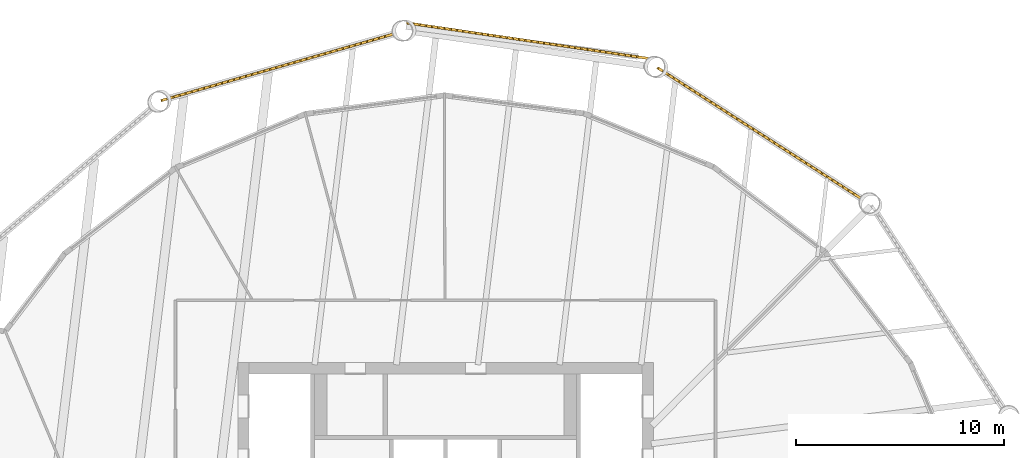
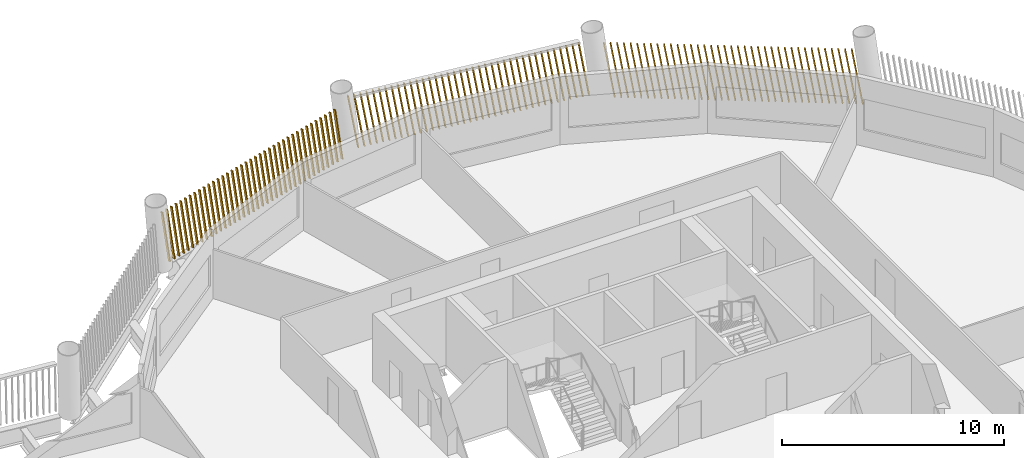
# One storey, part 13 of 14: 3 shading devices.
"""IFC4 building model written with IfcOpenShell, lengths in metres."""

from ifc_helpers import new_model, si_unit, direction, frame, frame_2d, origin, place, context, subcontext, project, spatial, rectangle, composite_profile, extrude, material, type_object, element, save


model = new_model("IFC4")

# Units and contexts
model_context = context("Model", 3, precision=1e-05, world=origin(), true_north=direction((0.0, 1.0)))
body_context = subcontext(model_context, "Body", "Model", "MODEL_VIEW")
ifc_project = project(units=[si_unit("LENGTHUNIT", "METRE"), si_unit("AREAUNIT", "SQUARE_METRE"), si_unit("VOLUMEUNIT", "CUBIC_METRE"), si_unit("PLANEANGLEUNIT", "RADIAN"), si_unit("MASSUNIT", "GRAM", prefix="KILO")], contexts=[model_context])

# Site, building, storey
site_placement = place(None, origin())
site = spatial("IfcSite", under=ifc_project, at=site_placement, CompositionType="ELEMENT")
building_placement = place(site_placement, origin())
building = spatial("IfcBuilding", under=site, at=building_placement, Name="Tarsis Ring Headquarters", CompositionType="ELEMENT")
storey_placement = place(building_placement, frame((0.0, 0.0, 259.10009765625)))
storey = spatial("IfcBuildingStorey", under=building, at=storey_placement, Name="L60", CompositionType="ELEMENT", Elevation=259.10009765625)

# Shading devices
ifc_material = material(Name="Terracotta baguette", Category="masonry")
shading_device_type = type_object("IfcShadingDeviceType", Name="Terracotta baguette screen", PredefinedType="USERDEFINED", material=ifc_material)
shading_device_1_placement = place(storey_placement, frame((20.07666015625, 20.853515625, 0.0), z_axis=(0.0, 0.0, 1.0), x_axis=(-0.841432447097, 0.540379815518, 0.0)))
element("IfcShadingDevice", 1, at=shading_device_1_placement, inside=storey, type_object=shading_device_type, Name="Baguette screen L60-11", ObjectType="Terracotta baguette screen", PredefinedType="USERDEFINED", context=body_context, shape_type="SweptSolid", body=[
    extrude(composite_profile([rectangle(XDim=0.06005859375, YDim=0.1201171875, at=frame_2d((0.030029296875, 0.0))), rectangle(XDim=0.06005859375, YDim=0.1201171875, at=frame_2d((0.33251953125, 0.0))), rectangle(XDim=0.06005859375, YDim=0.1201171875, at=frame_2d((0.634765625, 0.0))), rectangle(XDim=0.06005859375, YDim=0.1201171875, at=frame_2d((0.937255859375, 0.0))), rectangle(XDim=0.06005859375, YDim=0.1201171875, at=frame_2d((1.239501953125, 0.0))), rectangle(XDim=0.06005859375, YDim=0.1201171875, at=frame_2d((1.5419921875, 0.0))), rectangle(XDim=0.06005859375, YDim=0.1201171875, at=frame_2d((1.844482421875, 0.0))), rectangle(XDim=0.06005859375, YDim=0.1201171875, at=frame_2d((2.146728515625, 0.0))), rectangle(XDim=0.06005859375, YDim=0.1201171875, at=frame_2d((2.44921875, 0.0))), rectangle(XDim=0.06005859375, YDim=0.1201171875, at=frame_2d((2.751708984375, 0.0))), rectangle(XDim=0.06005859375, YDim=0.1201171875, at=frame_2d((3.053955078125, 0.0))), rectangle(XDim=0.06005859375, YDim=0.1201171875, at=frame_2d((3.3564453125, 0.0))), rectangle(XDim=0.06005859375, YDim=0.1201171875, at=frame_2d((3.65869140625, 0.0))), rectangle(XDim=0.06005859375, YDim=0.1201171875, at=frame_2d((3.961181640625, 0.0))), rectangle(XDim=0.06005859375, YDim=0.1201171875, at=frame_2d((4.263671875, 0.0))), rectangle(XDim=0.06005859375, YDim=0.1201171875, at=frame_2d((4.56591796875, 0.0))), rectangle(XDim=0.06005859375, YDim=0.1201171875, at=frame_2d((4.868408203125, 0.0))), rectangle(XDim=0.06005859375, YDim=0.1201171875, at=frame_2d((5.1708984375, 0.0))), rectangle(XDim=0.06005859375, YDim=0.1201171875, at=frame_2d((5.47314453125, 0.0))), rectangle(XDim=0.06005859375, YDim=0.1201171875, at=frame_2d((5.775634765625, 0.0))), rectangle(XDim=0.06005859375, YDim=0.1201171875, at=frame_2d((6.077880859375, 0.0))), rectangle(XDim=0.06005859375, YDim=0.1201171875, at=frame_2d((6.38037109375, 0.0))), rectangle(XDim=0.06005859375, YDim=0.1201171875, at=frame_2d((6.682861328125, 0.0))), rectangle(XDim=0.06005859375, YDim=0.1201171875, at=frame_2d((6.985107421875, 0.0))), rectangle(XDim=0.06005859375, YDim=0.1201171875, at=frame_2d((7.28759765625, 0.0))), rectangle(XDim=0.06005859375, YDim=0.1201171875, at=frame_2d((7.590087890625, 0.0))), rectangle(XDim=0.06005859375, YDim=0.1201171875, at=frame_2d((7.892333984375, 0.0))), rectangle(XDim=0.06005859375, YDim=0.1201171875, at=frame_2d((8.19482421875, 0.0))), rectangle(XDim=0.06005859375, YDim=0.1201171875, at=frame_2d((8.4970703125, 0.0))), rectangle(XDim=0.06005859375, YDim=0.1201171875, at=frame_2d((8.799560546875, 0.0))), rectangle(XDim=0.06005859375, YDim=0.1201171875, at=frame_2d((9.10205078125, 0.0))), rectangle(XDim=0.06005859375, YDim=0.1201171875, at=frame_2d((9.404296875, 0.0))), rectangle(XDim=0.06005859375, YDim=0.1201171875, at=frame_2d((9.706787109375, 0.0))), rectangle(XDim=0.06005859375, YDim=0.1201171875, at=frame_2d((10.00927734375, 0.0))), rectangle(XDim=0.06005859375, YDim=0.1201171875, at=frame_2d((10.3115234375, 0.0))), rectangle(XDim=0.06005859375, YDim=0.1201171875, at=frame_2d((10.614013671875, 0.0))), rectangle(XDim=0.06005859375, YDim=0.1201171875, at=frame_2d((10.916259765625, 0.0))), rectangle(XDim=0.06005859375, YDim=0.1201171875, at=frame_2d((11.21875, 0.0)))]), origin(), (0.164705091975, 0.001438647599, 0.986341808386), 3.0087890625),
])
shading_device_2_placement = place(storey_placement, frame((9.750732421875, 27.64599609375, 0.0), z_axis=(0.0, 0.0, 1.0), x_axis=(-0.989365165491, 0.145501899078, 0.0)))
element("IfcShadingDevice", 2, at=shading_device_2_placement, inside=storey, type_object=shading_device_type, Name="Baguette screen L60-12", ObjectType="Terracotta baguette screen", PredefinedType="USERDEFINED", context=body_context, shape_type="SweptSolid", body=[
    extrude(composite_profile([rectangle(XDim=0.06005859375, YDim=0.1201171875, at=frame_2d((0.030029296875, 0.0))), rectangle(XDim=0.06005859375, YDim=0.1201171875, at=frame_2d((0.33251953125, 0.0))), rectangle(XDim=0.06005859375, YDim=0.1201171875, at=frame_2d((0.634765625, 0.0))), rectangle(XDim=0.06005859375, YDim=0.1201171875, at=frame_2d((0.937255859375, 0.0))), rectangle(XDim=0.06005859375, YDim=0.1201171875, at=frame_2d((1.239501953125, 0.0))), rectangle(XDim=0.06005859375, YDim=0.1201171875, at=frame_2d((1.5419921875, 0.0))), rectangle(XDim=0.06005859375, YDim=0.1201171875, at=frame_2d((1.844482421875, 0.0))), rectangle(XDim=0.06005859375, YDim=0.1201171875, at=frame_2d((2.146728515625, 0.0))), rectangle(XDim=0.06005859375, YDim=0.1201171875, at=frame_2d((2.44921875, 0.0))), rectangle(XDim=0.06005859375, YDim=0.1201171875, at=frame_2d((2.751708984375, 0.0))), rectangle(XDim=0.06005859375, YDim=0.1201171875, at=frame_2d((3.053955078125, 0.0))), rectangle(XDim=0.06005859375, YDim=0.1201171875, at=frame_2d((3.3564453125, 0.0))), rectangle(XDim=0.06005859375, YDim=0.1201171875, at=frame_2d((3.65869140625, 0.0))), rectangle(XDim=0.06005859375, YDim=0.1201171875, at=frame_2d((3.961181640625, 0.0))), rectangle(XDim=0.06005859375, YDim=0.1201171875, at=frame_2d((4.263671875, 0.0))), rectangle(XDim=0.06005859375, YDim=0.1201171875, at=frame_2d((4.56591796875, 0.0))), rectangle(XDim=0.06005859375, YDim=0.1201171875, at=frame_2d((4.868408203125, 0.0))), rectangle(XDim=0.06005859375, YDim=0.1201171875, at=frame_2d((5.1708984375, 0.0))), rectangle(XDim=0.06005859375, YDim=0.1201171875, at=frame_2d((5.47314453125, 0.0))), rectangle(XDim=0.06005859375, YDim=0.1201171875, at=frame_2d((5.775634765625, 0.0))), rectangle(XDim=0.06005859375, YDim=0.1201171875, at=frame_2d((6.077880859375, 0.0))), rectangle(XDim=0.06005859375, YDim=0.1201171875, at=frame_2d((6.38037109375, 0.0))), rectangle(XDim=0.06005859375, YDim=0.1201171875, at=frame_2d((6.682861328125, 0.0))), rectangle(XDim=0.06005859375, YDim=0.1201171875, at=frame_2d((6.985107421875, 0.0))), rectangle(XDim=0.06005859375, YDim=0.1201171875, at=frame_2d((7.28759765625, 0.0))), rectangle(XDim=0.06005859375, YDim=0.1201171875, at=frame_2d((7.590087890625, 0.0))), rectangle(XDim=0.06005859375, YDim=0.1201171875, at=frame_2d((7.892333984375, 0.0))), rectangle(XDim=0.06005859375, YDim=0.1201171875, at=frame_2d((8.19482421875, 0.0))), rectangle(XDim=0.06005859375, YDim=0.1201171875, at=frame_2d((8.4970703125, 0.0))), rectangle(XDim=0.06005859375, YDim=0.1201171875, at=frame_2d((8.799560546875, 0.0))), rectangle(XDim=0.06005859375, YDim=0.1201171875, at=frame_2d((9.10205078125, 0.0))), rectangle(XDim=0.06005859375, YDim=0.1201171875, at=frame_2d((9.404296875, 0.0))), rectangle(XDim=0.06005859375, YDim=0.1201171875, at=frame_2d((9.706787109375, 0.0))), rectangle(XDim=0.06005859375, YDim=0.1201171875, at=frame_2d((10.00927734375, 0.0))), rectangle(XDim=0.06005859375, YDim=0.1201171875, at=frame_2d((10.3115234375, 0.0))), rectangle(XDim=0.06005859375, YDim=0.1201171875, at=frame_2d((10.614013671875, 0.0))), rectangle(XDim=0.06005859375, YDim=0.1201171875, at=frame_2d((10.916259765625, 0.0))), rectangle(XDim=0.06005859375, YDim=0.1201171875, at=frame_2d((11.21875, 0.0)))]), origin(), (0.166819650728, 0.001455822094, 0.98598635118), 3.010009765625),
])
shading_device_3_placement = place(storey_placement, frame((-2.408447265625, 28.846923828125, 0.0), z_axis=(0.0, 0.0, 1.0), x_axis=(-0.961367335865, -0.275246880087, 0.0)))
element("IfcShadingDevice", 3, at=shading_device_3_placement, inside=storey, type_object=shading_device_type, Name="Baguette screen L60-13", ObjectType="Terracotta baguette screen", PredefinedType="USERDEFINED", context=body_context, shape_type="SweptSolid", body=[
    extrude(composite_profile([rectangle(XDim=0.06005859375, YDim=0.1201171875, at=frame_2d((0.030029296875, 0.0))), rectangle(XDim=0.06005859375, YDim=0.1201171875, at=frame_2d((0.33251953125, 0.0))), rectangle(XDim=0.06005859375, YDim=0.1201171875, at=frame_2d((0.634765625, 0.0))), rectangle(XDim=0.06005859375, YDim=0.1201171875, at=frame_2d((0.937255859375, 0.0))), rectangle(XDim=0.06005859375, YDim=0.1201171875, at=frame_2d((1.239501953125, 0.0))), rectangle(XDim=0.06005859375, YDim=0.1201171875, at=frame_2d((1.5419921875, 0.0))), rectangle(XDim=0.06005859375, YDim=0.1201171875, at=frame_2d((1.844482421875, 0.0))), rectangle(XDim=0.06005859375, YDim=0.1201171875, at=frame_2d((2.146728515625, 0.0))), rectangle(XDim=0.06005859375, YDim=0.1201171875, at=frame_2d((2.44921875, 0.0))), rectangle(XDim=0.06005859375, YDim=0.1201171875, at=frame_2d((2.751708984375, 0.0))), rectangle(XDim=0.06005859375, YDim=0.1201171875, at=frame_2d((3.053955078125, 0.0))), rectangle(XDim=0.06005859375, YDim=0.1201171875, at=frame_2d((3.3564453125, 0.0))), rectangle(XDim=0.06005859375, YDim=0.1201171875, at=frame_2d((3.65869140625, 0.0))), rectangle(XDim=0.06005859375, YDim=0.1201171875, at=frame_2d((3.961181640625, 0.0))), rectangle(XDim=0.06005859375, YDim=0.1201171875, at=frame_2d((4.263671875, 0.0))), rectangle(XDim=0.06005859375, YDim=0.1201171875, at=frame_2d((4.56591796875, 0.0))), rectangle(XDim=0.06005859375, YDim=0.1201171875, at=frame_2d((4.868408203125, 0.0))), rectangle(XDim=0.06005859375, YDim=0.1201171875, at=frame_2d((5.1708984375, 0.0))), rectangle(XDim=0.06005859375, YDim=0.1201171875, at=frame_2d((5.47314453125, 0.0))), rectangle(XDim=0.06005859375, YDim=0.1201171875, at=frame_2d((5.775634765625, 0.0))), rectangle(XDim=0.06005859375, YDim=0.1201171875, at=frame_2d((6.077880859375, 0.0))), rectangle(XDim=0.06005859375, YDim=0.1201171875, at=frame_2d((6.38037109375, 0.0))), rectangle(XDim=0.06005859375, YDim=0.1201171875, at=frame_2d((6.682861328125, 0.0))), rectangle(XDim=0.06005859375, YDim=0.1201171875, at=frame_2d((6.985107421875, 0.0))), rectangle(XDim=0.06005859375, YDim=0.1201171875, at=frame_2d((7.28759765625, 0.0))), rectangle(XDim=0.06005859375, YDim=0.1201171875, at=frame_2d((7.590087890625, 0.0))), rectangle(XDim=0.06005859375, YDim=0.1201171875, at=frame_2d((7.892333984375, 0.0))), rectangle(XDim=0.06005859375, YDim=0.1201171875, at=frame_2d((8.19482421875, 0.0))), rectangle(XDim=0.06005859375, YDim=0.1201171875, at=frame_2d((8.4970703125, 0.0))), rectangle(XDim=0.06005859375, YDim=0.1201171875, at=frame_2d((8.799560546875, 0.0))), rectangle(XDim=0.06005859375, YDim=0.1201171875, at=frame_2d((9.10205078125, 0.0))), rectangle(XDim=0.06005859375, YDim=0.1201171875, at=frame_2d((9.404296875, 0.0))), rectangle(XDim=0.06005859375, YDim=0.1201171875, at=frame_2d((9.706787109375, 0.0))), rectangle(XDim=0.06005859375, YDim=0.1201171875, at=frame_2d((10.00927734375, 0.0))), rectangle(XDim=0.06005859375, YDim=0.1201171875, at=frame_2d((10.3115234375, 0.0))), rectangle(XDim=0.06005859375, YDim=0.1201171875, at=frame_2d((10.614013671875, 0.0))), rectangle(XDim=0.06005859375, YDim=0.1201171875, at=frame_2d((10.916259765625, 0.0))), rectangle(XDim=0.06005859375, YDim=0.1201171875, at=frame_2d((11.21875, 0.0)))]), origin(), (0.164702290133, 0.00143569554, 0.986342280551), 3.0087890625),
])

save(model, "model.ifc")
